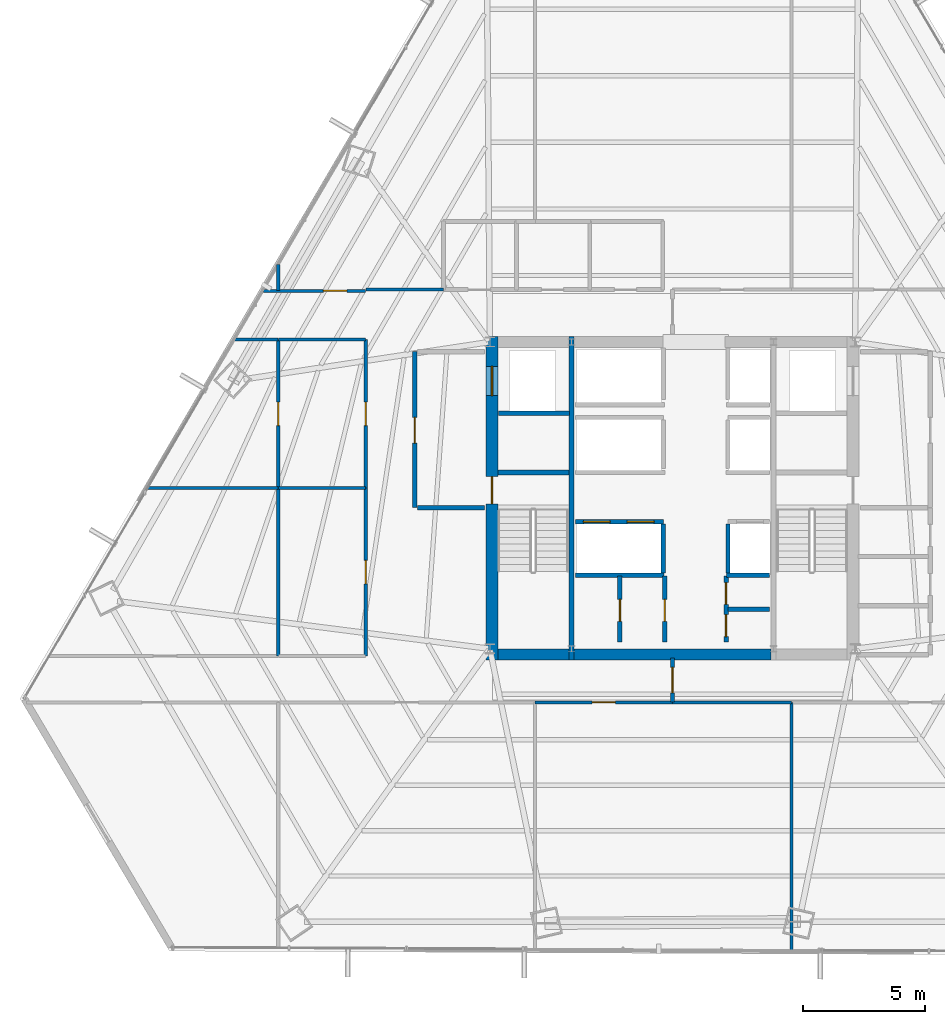
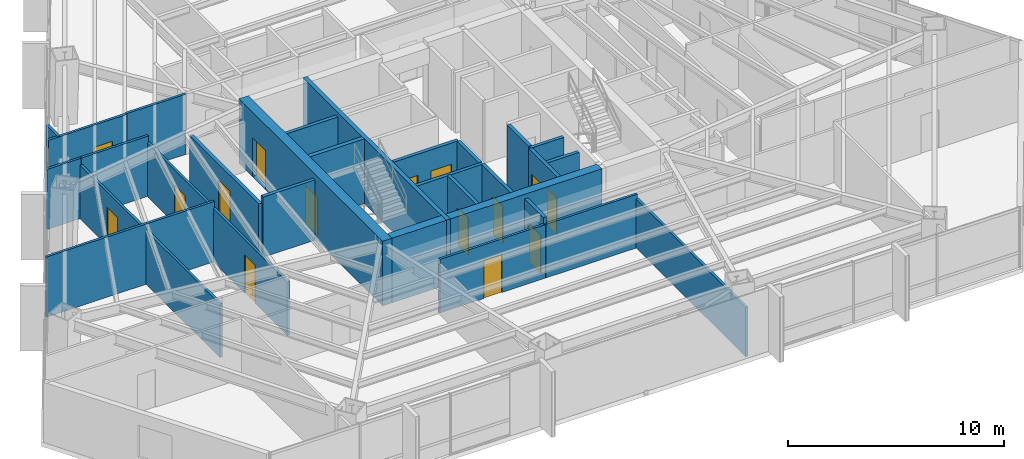
# One storey, part 30 of 35: 32 walls, 15 doors, 15 openings.
"""IFC4 building model written with IfcOpenShell, lengths in metres."""

from ifc_helpers import new_model, si_unit, direction, frame, frame_2d, origin, place, context, subcontext, project, spatial, rectangle, extrude, material, layer, layer_set, type_object, element, fill, save


model = new_model("IFC4")

# Units and contexts
model_context = context("Model", 3, precision=1e-05, world=origin(), true_north=direction((0.0, 1.0)))
body_context = subcontext(model_context, "Body", "Model", "MODEL_VIEW")
ifc_project = project(units=[si_unit("LENGTHUNIT", "METRE"), si_unit("AREAUNIT", "SQUARE_METRE"), si_unit("VOLUMEUNIT", "CUBIC_METRE"), si_unit("PLANEANGLEUNIT", "RADIAN"), si_unit("MASSUNIT", "GRAM", prefix="KILO")], contexts=[model_context])

# Site, building, storey
site_placement = place(None, origin())
site = spatial("IfcSite", under=ifc_project, at=site_placement, CompositionType="ELEMENT")
building_placement = place(site_placement, origin())
building = spatial("IfcBuilding", under=site, at=building_placement, Name="Caelisora Broadcast Tower", CompositionType="ELEMENT")
storey_placement = place(building_placement, frame((0.0, 0.0, 94.449951171875)))
storey = spatial("IfcBuildingStorey", under=building, at=storey_placement, Name="L24", CompositionType="ELEMENT", Elevation=94.449951171875)

# Wall, openings, doors
ifc_material_1 = material(Name="Concrete 50 MPa (AS 3600 S50)", Category="concrete")
ifc_layer_1 = layer(ifc_material_1, 0.5, Name="Concrete 50 MPa (AS 3600 S50)")
ifc_layer_set_1 = layer_set([ifc_layer_1], Name="Concrete 50 MPa (AS 3600 S50)")
wall_type_1 = type_object("IfcWallType", Name="CW2", PredefinedType="SHEAR", material=ifc_layer_set_1)
wall_1_placement = place(storey_placement, frame((30.590087890625, 16.949951171875, 0.0), z_axis=(0.0, 0.0, 1.0), x_axis=(0.0, 1.0, 0.0)))
wall_1 = element("IfcWall", 1, at=wall_1_placement, inside=storey, type_object=wall_type_1, Name="L24 core shear wall CW2", PredefinedType="SHEAR", context=body_context, shape_type="SweptSolid", body=[
    extrude(rectangle(XDim=13.275146484375, YDim=0.5, at=frame_2d((6.6376953125, 0.0))), origin(), (0.0, 0.0, 1.0), 3.650146484375),
])
opening_1_placement = place(wall_1_placement, frame((6.39990234375, 0.0, 0.0)))
opening_1 = element("IfcOpeningElement", 2, at=opening_1_placement, cuts=wall_1, Name="Opening FD04", PredefinedType="OPENING", context=body_context, shape_type="SweptSolid", body=[
    extrude(rectangle(XDim=1.1201171875, YDim=2.14990234375, at=frame_2d((0.56005859375, 1.074951171875))), frame((0.0, 0.261962890625, 0.0), z_axis=(0.0, -1.0, 0.0), x_axis=(1.0, 0.0, 0.0)), (0.0, 0.0, 1.0), 0.52392578125),
])
opening_2_placement = place(wall_1_placement, frame((10.85009765625, 0.0, 0.0)))
opening_2 = element("IfcOpeningElement", 3, at=opening_2_placement, cuts=wall_1, Name="Opening LD04", PredefinedType="OPENING", context=body_context, shape_type="SweptSolid", body=[
    extrude(rectangle(XDim=1.199951171875, YDim=2.199951171875, at=frame_2d((0.60009765625, 1.10009765625))), frame((0.0, 0.261962890625, 0.0), z_axis=(0.0, -1.0, 0.0), x_axis=(1.0, 0.0, 0.0)), (0.0, 0.0, 1.0), 0.52392578125),
])
ifc_material_2 = material(Name="Pressurised Fire-Isolated Stair Door", Category="steel")
door_type_1 = type_object("IfcDoorType", Name="FD04", OperationType="NOTDEFINED", PredefinedType="DOOR", material=ifc_material_2)
door_1_placement = place(opening_1_placement, origin())
door_1 = element("IfcDoor", 4, at=door_1_placement, inside=storey, type_object=door_type_1, Name="L24 door FD04 (L24-DR-ST1)", OperationType="SINGLE_SWING_LEFT", OverallHeight=2.14990234375, OverallWidth=1.1201171875, PredefinedType="DOOR", context=body_context, shape_type="SweptSolid", body=[
    extrude(rectangle(XDim=1.1201171875, YDim=2.14990234375, at=frame_2d((0.56005859375, 1.074951171875))), frame((0.0, 0.02490234375, 0.0), z_axis=(0.0, -1.0, 0.0), x_axis=(1.0, 0.0, 0.0)), (0.0, 0.0, 1.0), 0.050048828125),
])
fill(opening_1, door_1)
ifc_material_3 = material(Name="Emergency Firefighting Lift Sliding Landing Door", Category="steel")
door_type_2 = type_object("IfcDoorType", Name="LD04", OperationType="NOTDEFINED", PredefinedType="DOOR", material=ifc_material_3)
door_2_placement = place(opening_2_placement, origin())
door_2 = element("IfcDoor", 5, at=door_2_placement, inside=storey, type_object=door_type_2, Name="L24 door LD04 (L24-LD-FFL1)", OperationType="SLIDING_TO_LEFT", OverallHeight=2.199951171875, OverallWidth=1.199951171875, PredefinedType="DOOR", context=body_context, shape_type="SweptSolid", body=[
    extrude(rectangle(XDim=1.199951171875, YDim=2.199951171875, at=frame_2d((0.60009765625, 1.10009765625))), frame((0.0, 0.02490234375, 0.0), z_axis=(0.0, -1.0, 0.0), x_axis=(1.0, 0.0, 0.0)), (0.0, 0.0, 1.0), 0.050048828125),
])
fill(opening_2, door_2)

# Walls
ifc_layer_2 = layer(ifc_material_1, 0.449951171875, Name="Concrete 50 MPa (AS 3600 S50)")
ifc_layer_set_2 = layer_set([ifc_layer_2], Name="Concrete 50 MPa (AS 3600 S50)")
wall_type_2 = type_object("IfcWallType", Name="CW5", PredefinedType="SHEAR", material=ifc_layer_set_2)
wall_2_placement = place(storey_placement, frame((30.840087890625, 17.175048828125, 0.0), z_axis=(0.0, 0.0, 1.0), x_axis=(1.0, 0.0, 0.0)))
element("IfcWall", 6, at=wall_2_placement, inside=storey, type_object=wall_type_2, Name="L24 core shear wall CW5", PredefinedType="SHEAR", context=body_context, shape_type="SweptSolid", body=[
    extrude(rectangle(XDim=2.89990234375, YDim=0.449951171875, at=frame_2d((1.449951171875, 0.0))), origin(), (0.0, 0.0, 1.0), 3.650146484375),
])
wall_3_placement = place(storey_placement, frame((33.9599609375, 17.175048828125, 0.0), z_axis=(0.0, 0.0, 1.0), x_axis=(1.0, 0.0, 0.0)))
element("IfcWall", 7, at=wall_3_placement, inside=storey, type_object=wall_type_2, Name="L24 core shear wall CW5", PredefinedType="SHEAR", context=body_context, shape_type="SweptSolid", body=[
    extrude(rectangle(XDim=8.080078125, YDim=0.449951171875, at=frame_2d((4.0400390625, 0.0))), origin(), (0.0, 0.0, 1.0), 3.650146484375),
])
ifc_layer_3 = layer(ifc_material_1, 0.219970703125, Name="Concrete 50 MPa (AS 3600 S50)")
ifc_layer_set_3 = layer_set([ifc_layer_3], Name="Concrete 50 MPa (AS 3600 S50)")
wall_type_3 = type_object("IfcWallType", Name="CW7", PredefinedType="SHEAR", material=ifc_layer_set_3)
wall_4_placement = place(storey_placement, frame((33.85009765625, 16.949951171875, 0.0), z_axis=(0.0, 0.0, 1.0), x_axis=(0.0, 1.0, 0.0)))
element("IfcWall", 8, at=wall_4_placement, inside=storey, type_object=wall_type_3, Name="L24 core shear wall CW7", PredefinedType="SHEAR", context=body_context, shape_type="SweptSolid", body=[
    extrude(rectangle(XDim=13.275146484375, YDim=0.219970703125, at=frame_2d((6.6376953125, 0.0))), origin(), (0.0, 0.0, 1.0), 3.650146484375),
])
wall_5_placement = place(storey_placement, frame((30.840087890625, 24.639892578125, 0.0), z_axis=(0.0, 0.0, 1.0), x_axis=(1.0, 0.0, 0.0)))
element("IfcWall", 9, at=wall_5_placement, inside=storey, type_object=wall_type_3, Name="L24 core shear wall CW7", PredefinedType="SHEAR", context=body_context, shape_type="SweptSolid", body=[
    extrude(rectangle(XDim=2.89990234375, YDim=0.219970703125, at=frame_2d((1.449951171875, 0.0))), origin(), (0.0, 0.0, 1.0), 3.650146484375),
])

# Wall, openings, doors
ifc_material_4 = material(Name="Fire-Rated Gypsum Shaft and Compartment Wall", Category="gypsum")
ifc_layer_4 = layer(ifc_material_4, 0.179931640625, Name="Fire-Rated Gypsum Shaft and Compartment Wall")
ifc_layer_set_4 = layer_set([ifc_layer_4], Name="Fire-Rated Gypsum Shaft and Compartment Wall")
wall_type_4 = type_object("IfcWallType", Name="PW2", PredefinedType="PARTITIONING", material=ifc_layer_set_4)
wall_6_placement = place(storey_placement, frame((34.02001953125, 22.6201171875, 0.0), z_axis=(0.0, 0.0, 1.0), x_axis=(1.0, 0.0, 0.0)))
wall_6 = element("IfcWall", 10, at=wall_6_placement, inside=storey, type_object=wall_type_4, Name="L24 fire compartment wall PW2", PredefinedType="PARTITIONING", context=body_context, shape_type="SweptSolid", body=[
    extrude(rectangle(XDim=3.60009765625, YDim=0.179931640625, at=frame_2d((1.800048828125, 0.0))), origin(), (0.0, 0.0, 1.0), 3.400146484375),
])
opening_3_placement = place(wall_6_placement, frame((0.320068359375, 0.0, 0.0)))
opening_3 = element("IfcOpeningElement", 11, at=opening_3_placement, cuts=wall_6, Name="Opening LD01", PredefinedType="OPENING", context=body_context, shape_type="SweptSolid", body=[
    extrude(rectangle(XDim=1.10009765625, YDim=2.199951171875, at=frame_2d((0.550048828125, 1.10009765625))), frame((0.0, 0.10205078125, 0.0), z_axis=(0.0, -1.0, 0.0), x_axis=(1.0, 0.0, 0.0)), (0.0, 0.0, 1.0), 0.203857421875),
])
opening_4_placement = place(wall_6_placement, frame((2.1201171875, 0.0, 0.0)))
opening_4 = element("IfcOpeningElement", 12, at=opening_4_placement, cuts=wall_6, Name="Opening LD01", PredefinedType="OPENING", context=body_context, shape_type="SweptSolid", body=[
    extrude(rectangle(XDim=1.10009765625, YDim=2.199951171875, at=frame_2d((0.550048828125, 1.10009765625))), frame((0.0, 0.10205078125, 0.0), z_axis=(0.0, -1.0, 0.0), x_axis=(1.0, 0.0, 0.0)), (0.0, 0.0, 1.0), 0.203857421875),
])
ifc_material_5 = material(Name="Stainless Steel Centre-Parting Lift Landing Door", Category="steel")
door_type_3 = type_object("IfcDoorType", Name="LD01", OperationType="NOTDEFINED", PredefinedType="DOOR", material=ifc_material_5)
door_3_placement = place(opening_3_placement, origin())
door_3 = element("IfcDoor", 13, at=door_3_placement, inside=storey, type_object=door_type_3, Name="L24 door LD01 (L24-LD-PLL1)", OperationType="SLIDING_TO_LEFT", OverallHeight=2.199951171875, OverallWidth=1.10009765625, PredefinedType="DOOR", context=body_context, shape_type="SweptSolid", body=[
    extrude(rectangle(XDim=1.10009765625, YDim=2.199951171875, at=frame_2d((0.550048828125, 1.10009765625))), frame((0.0, 0.02490234375, 0.0), z_axis=(0.0, -1.0, 0.0), x_axis=(1.0, 0.0, 0.0)), (0.0, 0.0, 1.0), 0.050048828125),
])
fill(opening_3, door_3)
door_4_placement = place(opening_4_placement, origin())
door_4 = element("IfcDoor", 14, at=door_4_placement, inside=storey, type_object=door_type_3, Name="L24 door LD01 (L24-LD-PLL2)", OperationType="SLIDING_TO_RIGHT", OverallHeight=2.199951171875, OverallWidth=1.10009765625, PredefinedType="DOOR", context=body_context, shape_type="SweptSolid", body=[
    extrude(rectangle(XDim=1.10009765625, YDim=2.199951171875, at=frame_2d((0.550048828125, 1.10009765625))), frame((0.0, 0.02490234375, 0.0), z_axis=(0.0, -1.0, 0.0), x_axis=(1.0, 0.0, 0.0)), (0.0, 0.0, 1.0), 0.050048828125),
])
fill(opening_4, door_4)

# Walls
for number, where, z_axis, x_axis, name in (
    (15, (37.6201171875, 20.52001953125, 0.0), (0.0, 0.0, 1.0), (0.0, 1.0, 0.0), "L24 fire compartment wall PW2"),
    (16, (40.280029296875, 20.52001953125, 0.0), (0.0, 0.0, 1.0), (0.0, 1.0, 0.0), "L24 fire compartment wall PW2"),
):
    element("IfcWall", number, at=place(storey_placement, frame(where, z_axis=z_axis, x_axis=x_axis)), inside=storey, type_object=wall_type_4, Name=name, PredefinedType="PARTITIONING", context=body_context, shape_type="SweptSolid", body=[
        extrude(rectangle(XDim=2.0, YDim=0.179931640625, at=frame_2d((1.0, 0.0))), origin(), (0.0, 0.0, 1.0), 3.400146484375),
    ])

# Wall, opening, door
wall_7_placement = place(storey_placement, frame((27.419921875, 23.199951171875, 0.0), z_axis=(0.0, 0.0, 1.0), x_axis=(0.0, 1.0, 0.0)))
wall_7 = element("IfcWall", 17, at=wall_7_placement, inside=storey, type_object=wall_type_4, Name="L24 fire compartment wall PW2", PredefinedType="PARTITIONING", context=body_context, shape_type="SweptSolid", body=[
    extrude(rectangle(XDim=6.400146484375, YDim=0.179931640625, at=frame_2d((3.2001953125, 0.0))), origin(), (0.0, 0.0, 1.0), 3.0263671875),
])
opening_5_placement = place(wall_7_placement, frame((2.64990234375, 0.0, 0.0)))
opening_5 = element("IfcOpeningElement", 18, at=opening_5_placement, cuts=wall_7, Name="Opening FD02", PredefinedType="OPENING", context=body_context, shape_type="SweptSolid", body=[
    extrude(rectangle(XDim=1.050048828125, YDim=2.14990234375, at=frame_2d((0.52490234375, 1.074951171875))), frame((0.0, 0.10205078125, 0.0), z_axis=(0.0, -1.0, 0.0), x_axis=(1.0, 0.0, 0.0)), (0.0, 0.0, 1.0), 0.203857421875),
])
ifc_material_6 = material(Name="Single-Leaf Steel Fire Lobby Door", Category="steel")
door_type_4 = type_object("IfcDoorType", Name="FD02", OperationType="NOTDEFINED", PredefinedType="DOOR", material=ifc_material_6)
door_5_placement = place(opening_5_placement, origin())
door_5 = element("IfcDoor", 19, at=door_5_placement, inside=storey, type_object=door_type_4, Name="L24 door FD02 (L24-DR-P01D1)", OperationType="SINGLE_SWING_RIGHT", OverallHeight=2.14990234375, OverallWidth=1.050048828125, PredefinedType="DOOR", context=body_context, shape_type="SweptSolid", body=[
    extrude(rectangle(XDim=1.050048828125, YDim=2.14990234375, at=frame_2d((0.52490234375, 1.074951171875))), frame((0.0, 0.02490234375, 0.0), z_axis=(0.0, -1.0, 0.0), x_axis=(1.0, 0.0, 0.0)), (0.0, 0.0, 1.0), 0.050048828125),
])
fill(opening_5, door_5)

# Walls
wall_8_placement = place(storey_placement, frame((27.52001953125, 23.199951171875, 0.0), z_axis=(0.0, 0.0, 1.0), x_axis=(1.0, 0.0, 0.0)))
element("IfcWall", 20, at=wall_8_placement, inside=storey, type_object=wall_type_4, Name="L24 fire compartment wall PW2", PredefinedType="PARTITIONING", context=body_context, shape_type="SweptSolid", body=[
    extrude(rectangle(XDim=2.760009765625, YDim=0.179931640625, at=frame_2d((1.3798828125, 0.0))), origin(), (0.0, 0.0, 1.0), 3.400146484375),
])
wall_9_placement = place(storey_placement, frame((30.860107421875, 27.070068359375, 0.0), z_axis=(0.0, 0.0, 1.0), x_axis=(1.0, 0.0, 0.0)))
element("IfcWall", 21, at=wall_9_placement, inside=storey, type_object=wall_type_4, Name="L24 fire compartment wall PW2", PredefinedType="PARTITIONING", context=body_context, shape_type="SweptSolid", body=[
    extrude(rectangle(XDim=2.89990234375, YDim=0.179931640625, at=frame_2d((1.449951171875, 0.0))), origin(), (0.0, 0.0, 1.0), 3.400146484375),
])
wall_10_placement = place(storey_placement, frame((34.02001953125, 20.419921875, 0.0), z_axis=(0.0, 0.0, 1.0), x_axis=(1.0, 0.0, 0.0)))
element("IfcWall", 22, at=wall_10_placement, inside=storey, type_object=wall_type_4, Name="L24 fire compartment wall PW2", PredefinedType="PARTITIONING", context=body_context, shape_type="SweptSolid", body=[
    extrude(rectangle(XDim=3.639892578125, YDim=0.179931640625, at=frame_2d((1.81982421875, 0.0))), origin(), (0.0, 0.0, 1.0), 3.400146484375),
])
wall_11_placement = place(storey_placement, frame((40.219970703125, 20.419921875, 0.0), z_axis=(0.0, 0.0, 1.0), x_axis=(1.0, 0.0, 0.0)))
element("IfcWall", 23, at=wall_11_placement, inside=storey, type_object=wall_type_4, Name="L24 fire compartment wall PW2", PredefinedType="PARTITIONING", context=body_context, shape_type="SweptSolid", body=[
    extrude(rectangle(XDim=1.760009765625, YDim=0.179931640625, at=frame_2d((0.8798828125, 0.0))), origin(), (0.0, 0.0, 1.0), 3.400146484375),
])

# Wall, opening, door
wall_12_placement = place(storey_placement, frame((35.840087890625, 17.679931640625, 0.0), z_axis=(0.0, 0.0, 1.0), x_axis=(0.0, 1.0, 0.0)))
wall_12 = element("IfcWall", 24, at=wall_12_placement, inside=storey, type_object=wall_type_4, Name="L24 fire compartment wall PW2", PredefinedType="PARTITIONING", context=body_context, shape_type="SweptSolid", body=[
    extrude(rectangle(XDim=2.699951171875, YDim=0.179931640625, at=frame_2d((1.35009765625, 0.0))), origin(), (0.0, 0.0, 1.0), 3.400146484375),
])
opening_6_placement = place(wall_12_placement, frame((0.85009765625, 0.0, 0.0)))
opening_6 = element("IfcOpeningElement", 25, at=opening_6_placement, cuts=wall_12, Name="Opening FD03", PredefinedType="OPENING", context=body_context, shape_type="SweptSolid", body=[
    extrude(rectangle(XDim=0.89990234375, YDim=2.10009765625, at=frame_2d((0.449951171875, 1.050048828125))), frame((0.0, 0.10205078125, 0.0), z_axis=(0.0, -1.0, 0.0), x_axis=(1.0, 0.0, 0.0)), (0.0, 0.0, 1.0), 0.203857421875),
])
ifc_material_7 = material(Name="Single-Leaf Steel Riser Fire Access Door", Category="steel")
door_type_5 = type_object("IfcDoorType", Name="FD03", OperationType="NOTDEFINED", PredefinedType="DOOR", material=ifc_material_7)
door_6_placement = place(opening_6_placement, origin())
door_6 = element("IfcDoor", 26, at=door_6_placement, inside=storey, type_object=door_type_5, Name="L24 door FD03 (L24-DR-P11D1)", OperationType="SINGLE_SWING_RIGHT", OverallHeight=2.10009765625, OverallWidth=0.89990234375, PredefinedType="DOOR", context=body_context, shape_type="SweptSolid", body=[
    extrude(rectangle(XDim=0.89990234375, YDim=2.10009765625, at=frame_2d((0.449951171875, 1.050048828125))), frame((0.0, 0.02490234375, 0.0), z_axis=(0.0, -1.0, 0.0), x_axis=(1.0, 0.0, 0.0)), (0.0, 0.0, 1.0), 0.050048828125),
])
fill(opening_6, door_6)

wall_13_placement = place(storey_placement, frame((37.679931640625, 17.679931640625, 0.0), z_axis=(0.0, 0.0, 1.0), x_axis=(0.0, 1.0, 0.0)))
wall_13 = element("IfcWall", 27, at=wall_13_placement, inside=storey, type_object=wall_type_4, Name="L24 fire compartment wall PW2", PredefinedType="PARTITIONING", context=body_context, shape_type="SweptSolid", body=[
    extrude(rectangle(XDim=2.699951171875, YDim=0.179931640625, at=frame_2d((1.35009765625, 0.0))), origin(), (0.0, 0.0, 1.0), 3.400146484375),
])
opening_7_placement = place(wall_13_placement, frame((0.85009765625, 0.0, 0.0)))
opening_7 = element("IfcOpeningElement", 28, at=opening_7_placement, cuts=wall_13, Name="Opening FD03", PredefinedType="OPENING", context=body_context, shape_type="SweptSolid", body=[
    extrude(rectangle(XDim=0.89990234375, YDim=2.10009765625, at=frame_2d((0.449951171875, 1.050048828125))), frame((0.0, 0.10205078125, 0.0), z_axis=(0.0, -1.0, 0.0), x_axis=(1.0, 0.0, 0.0)), (0.0, 0.0, 1.0), 0.203857421875),
])
door_7_placement = place(opening_7_placement, origin())
door_7 = element("IfcDoor", 29, at=door_7_placement, inside=storey, type_object=door_type_5, Name="L24 door FD03 (L24-DR-P12D1)", OperationType="SINGLE_SWING_LEFT", OverallHeight=2.10009765625, OverallWidth=0.89990234375, PredefinedType="DOOR", context=body_context, shape_type="SweptSolid", body=[
    extrude(rectangle(XDim=0.89990234375, YDim=2.10009765625, at=frame_2d((0.449951171875, 1.050048828125))), frame((0.0, 0.02490234375, 0.0), z_axis=(0.0, -1.0, 0.0), x_axis=(1.0, 0.0, 0.0)), (0.0, 0.0, 1.0), 0.050048828125),
])
fill(opening_7, door_7)

# Wall
wall_14_placement = place(storey_placement, frame((40.280029296875, 19.02001953125, 0.0), z_axis=(0.0, 0.0, 1.0), x_axis=(1.0, 0.0, 0.0)))
element("IfcWall", 30, at=wall_14_placement, inside=storey, type_object=wall_type_4, Name="L24 fire compartment wall PW2", PredefinedType="PARTITIONING", context=body_context, shape_type="SweptSolid", body=[
    extrude(rectangle(XDim=1.699951171875, YDim=0.179931640625, at=frame_2d((0.85009765625, 0.0))), origin(), (0.0, 0.0, 1.0), 3.400146484375),
])

# Wall, openings, doors
wall_15_placement = place(storey_placement, frame((40.199951171875, 17.679931640625, 0.0), z_axis=(0.0, 0.0, 1.0), x_axis=(0.0, 1.0, 0.0)))
wall_15 = element("IfcWall", 31, at=wall_15_placement, inside=storey, type_object=wall_type_4, Name="L24 fire compartment wall PW2", PredefinedType="PARTITIONING", context=body_context, shape_type="SweptSolid", body=[
    extrude(rectangle(XDim=2.699951171875, YDim=0.179931640625, at=frame_2d((1.35009765625, 0.0))), origin(), (0.0, 0.0, 1.0), 3.400146484375),
])
opening_8_placement = place(wall_15_placement, frame((0.219970703125, 0.0, 0.0)))
opening_8 = element("IfcOpeningElement", 32, at=opening_8_placement, cuts=wall_15, Name="Opening FD03", PredefinedType="OPENING", context=body_context, shape_type="SweptSolid", body=[
    extrude(rectangle(XDim=0.89990234375, YDim=2.10009765625, at=frame_2d((0.449951171875, 1.050048828125))), frame((0.0, 0.10205078125, 0.0), z_axis=(0.0, -1.0, 0.0), x_axis=(1.0, 0.0, 0.0)), (0.0, 0.0, 1.0), 0.203857421875),
])
opening_9_placement = place(wall_15_placement, frame((1.5400390625, 0.0, 0.0)))
opening_9 = element("IfcOpeningElement", 33, at=opening_9_placement, cuts=wall_15, Name="Opening FD03", PredefinedType="OPENING", context=body_context, shape_type="SweptSolid", body=[
    extrude(rectangle(XDim=0.89990234375, YDim=2.10009765625, at=frame_2d((0.449951171875, 1.050048828125))), frame((0.0, 0.10205078125, 0.0), z_axis=(0.0, -1.0, 0.0), x_axis=(1.0, 0.0, 0.0)), (0.0, 0.0, 1.0), 0.203857421875),
])
door_8_placement = place(opening_8_placement, origin())
door_8 = element("IfcDoor", 34, at=door_8_placement, inside=storey, type_object=door_type_5, Name="L24 door FD03 (L24-DR-P14D1)", OperationType="SINGLE_SWING_RIGHT", OverallHeight=2.10009765625, OverallWidth=0.89990234375, PredefinedType="DOOR", context=body_context, shape_type="SweptSolid", body=[
    extrude(rectangle(XDim=0.89990234375, YDim=2.10009765625, at=frame_2d((0.449951171875, 1.050048828125))), frame((0.0, 0.02490234375, 0.0), z_axis=(0.0, -1.0, 0.0), x_axis=(1.0, 0.0, 0.0)), (0.0, 0.0, 1.0), 0.050048828125),
])
fill(opening_8, door_8)
door_9_placement = place(opening_9_placement, origin())
door_9 = element("IfcDoor", 35, at=door_9_placement, inside=storey, type_object=door_type_5, Name="L24 door FD03 (L24-DR-P14D2)", OperationType="SINGLE_SWING_LEFT", OverallHeight=2.10009765625, OverallWidth=0.89990234375, PredefinedType="DOOR", context=body_context, shape_type="SweptSolid", body=[
    extrude(rectangle(XDim=0.89990234375, YDim=2.10009765625, at=frame_2d((0.449951171875, 1.050048828125))), frame((0.0, 0.02490234375, 0.0), z_axis=(0.0, -1.0, 0.0), x_axis=(1.0, 0.0, 0.0)), (0.0, 0.0, 1.0), 0.050048828125),
])
fill(opening_9, door_9)

# Wall, opening, door
wall_16_placement = place(storey_placement, frame((38.0, 15.205078125, 0.0), z_axis=(0.0, 0.0, 1.0), x_axis=(0.0, 1.0, 0.0)))
wall_16 = element("IfcWall", 36, at=wall_16_placement, inside=storey, type_object=wall_type_4, Name="L24 fire compartment wall PW2", PredefinedType="PARTITIONING", context=body_context, shape_type="SweptSolid", body=[
    extrude(rectangle(XDim=1.81982421875, YDim=0.179931640625, at=frame_2d((0.909912109375, 0.0))), origin(), (0.0, 0.0, 1.0), 3.400146484375),
])
opening_10_placement = place(wall_16_placement, frame((0.385009765625, 0.0, 0.0)))
opening_10 = element("IfcOpeningElement", 37, at=opening_10_placement, cuts=wall_16, Name="Opening FD02", PredefinedType="OPENING", context=body_context, shape_type="SweptSolid", body=[
    extrude(rectangle(XDim=1.050048828125, YDim=2.14990234375, at=frame_2d((0.52490234375, 1.074951171875))), frame((0.0, 0.10205078125, 0.0), z_axis=(0.0, -1.0, 0.0), x_axis=(1.0, 0.0, 0.0)), (0.0, 0.0, 1.0), 0.203857421875),
])
door_10_placement = place(opening_10_placement, origin())
door_10 = element("IfcDoor", 38, at=door_10_placement, inside=storey, type_object=door_type_4, Name="L24 door FD02 (L24-DR-P67D1)", OperationType="SINGLE_SWING_RIGHT", OverallHeight=2.14990234375, OverallWidth=1.050048828125, PredefinedType="DOOR", context=body_context, shape_type="SweptSolid", body=[
    extrude(rectangle(XDim=1.050048828125, YDim=2.14990234375, at=frame_2d((0.52490234375, 1.074951171875))), frame((0.0, 0.02490234375, 0.0), z_axis=(0.0, -1.0, 0.0), x_axis=(1.0, 0.0, 0.0)), (0.0, 0.0, 1.0), 0.050048828125),
])
fill(opening_10, door_10)

# Wall
ifc_material_8 = material(Name="Acoustic Steel-Stud Plasterboard Partition", Category="gypsum")
ifc_layer_5 = layer(ifc_material_8, 0.1298828125, Name="Acoustic Steel-Stud Plasterboard Partition")
ifc_layer_set_5 = layer_set([ifc_layer_5], Name="Acoustic Steel-Stud Plasterboard Partition")
wall_type_5 = type_object("IfcWallType", Name="PW3", PredefinedType="PARTITIONING", material=ifc_layer_set_5)
wall_17_placement = place(storey_placement, frame((42.889892578125, 5.015380859375, 0.0), z_axis=(0.0, 0.0, 1.0), x_axis=(0.0, 1.0, 0.0)))
element("IfcWall", 39, at=wall_17_placement, inside=storey, type_object=wall_type_5, Name="L24 internal partition PW3", PredefinedType="PARTITIONING", context=body_context, shape_type="SweptSolid", body=[
    extrude(rectangle(XDim=10.1796875, YDim=0.1298828125, at=frame_2d((5.08984375, 0.0))), origin(), (0.0, 0.0, 1.0), 2.782958984375),
])

# Wall, opening, door
wall_18_placement = place(storey_placement, frame((25.39990234375, 17.10498046875, 0.0), z_axis=(0.0, 0.0, 1.0), x_axis=(0.0, 1.0, 0.0)))
wall_18 = element("IfcWall", 40, at=wall_18_placement, inside=storey, type_object=wall_type_5, Name="L24 internal partition PW3", PredefinedType="PARTITIONING", context=body_context, shape_type="SweptSolid", body=[
    extrude(rectangle(XDim=6.89013671875, YDim=0.1298828125, at=frame_2d((3.445068359375, 0.0))), origin(), (0.0, 0.0, 1.0), 3.0263671875),
])
opening_11_placement = place(wall_18_placement, frame((2.965087890625, 0.0, 0.0)))
opening_11 = element("IfcOpeningElement", 41, at=opening_11_placement, cuts=wall_18, Name="Opening D01", PredefinedType="OPENING", context=body_context, shape_type="SweptSolid", body=[
    extrude(rectangle(XDim=0.9599609375, YDim=2.14990234375, at=frame_2d((0.47998046875, 1.074951171875))), frame((0.0, 0.076904296875, 0.0), z_axis=(0.0, -1.0, 0.0), x_axis=(1.0, 0.0, 0.0)), (0.0, 0.0, 1.0), 0.15380859375),
])
ifc_material_9 = material(Name="Solid-Core Timber Acoustic Office Door", Category="wood")
door_type_6 = type_object("IfcDoorType", Name="D01", OperationType="NOTDEFINED", PredefinedType="DOOR", material=ifc_material_9)
door_11_placement = place(opening_11_placement, origin())
door_11 = element("IfcDoor", 42, at=door_11_placement, inside=storey, type_object=door_type_6, Name="L24 door D01 (L24-DR-P43D1)", OperationType="SINGLE_SWING_LEFT", OverallHeight=2.14990234375, OverallWidth=0.9599609375, PredefinedType="DOOR", context=body_context, shape_type="SweptSolid", body=[
    extrude(rectangle(XDim=0.9599609375, YDim=2.14990234375, at=frame_2d((0.47998046875, 1.074951171875))), frame((0.0, 0.02490234375, 0.0), z_axis=(0.0, -1.0, 0.0), x_axis=(1.0, 0.0, 0.0)), (0.0, 0.0, 1.0), 0.050048828125),
])
fill(opening_11, door_11)

# Wall
wall_19_placement = place(storey_placement, frame((21.81005859375, 17.10498046875, 0.0), z_axis=(0.0, 0.0, 1.0), x_axis=(0.0, 1.0, 0.0)))
element("IfcWall", 43, at=wall_19_placement, inside=storey, type_object=wall_type_5, Name="L24 internal partition PW3", PredefinedType="PARTITIONING", context=body_context, shape_type="SweptSolid", body=[
    extrude(rectangle(XDim=6.89013671875, YDim=0.1298828125, at=frame_2d((3.445068359375, 0.0))), origin(), (0.0, 0.0, 1.0), 3.0263671875),
])

# Wall, opening, door
wall_20_placement = place(storey_placement, frame((25.39990234375, 24.0048828125, 0.0), z_axis=(0.0, 0.0, 1.0), x_axis=(0.0, 1.0, 0.0)))
wall_20 = element("IfcWall", 44, at=wall_20_placement, inside=storey, type_object=wall_type_5, Name="L24 internal partition PW3", PredefinedType="PARTITIONING", context=body_context, shape_type="SweptSolid", body=[
    extrude(rectangle(XDim=6.090087890625, YDim=0.1298828125, at=frame_2d((3.044921875, 0.0))), origin(), (0.0, 0.0, 1.0), 3.0263671875),
])
opening_12_placement = place(wall_20_placement, frame((2.56494140625, 0.0, 0.0)))
opening_12 = element("IfcOpeningElement", 45, at=opening_12_placement, cuts=wall_20, Name="Opening D01", PredefinedType="OPENING", context=body_context, shape_type="SweptSolid", body=[
    extrude(rectangle(XDim=0.9599609375, YDim=2.14990234375, at=frame_2d((0.47998046875, 1.074951171875))), frame((0.0, 0.076904296875, 0.0), z_axis=(0.0, -1.0, 0.0), x_axis=(1.0, 0.0, 0.0)), (0.0, 0.0, 1.0), 0.15380859375),
])
door_12_placement = place(opening_12_placement, origin())
door_12 = element("IfcDoor", 46, at=door_12_placement, inside=storey, type_object=door_type_6, Name="L24 door D01 (L24-DR-P48D1)", OperationType="SINGLE_SWING_LEFT", OverallHeight=2.14990234375, OverallWidth=0.9599609375, PredefinedType="DOOR", context=body_context, shape_type="SweptSolid", body=[
    extrude(rectangle(XDim=0.9599609375, YDim=2.14990234375, at=frame_2d((0.47998046875, 1.074951171875))), frame((0.0, 0.02490234375, 0.0), z_axis=(0.0, -1.0, 0.0), x_axis=(1.0, 0.0, 0.0)), (0.0, 0.0, 1.0), 0.050048828125),
])
fill(opening_12, door_12)

wall_21_placement = place(storey_placement, frame((21.81005859375, 24.0048828125, 0.0), z_axis=(0.0, 0.0, 1.0), x_axis=(0.0, 1.0, 0.0)))
wall_21 = element("IfcWall", 47, at=wall_21_placement, inside=storey, type_object=wall_type_5, Name="L24 internal partition PW3", PredefinedType="PARTITIONING", context=body_context, shape_type="SweptSolid", body=[
    extrude(rectangle(XDim=6.090087890625, YDim=0.1298828125, at=frame_2d((3.044921875, 0.0))), origin(), (0.0, 0.0, 1.0), 3.0263671875),
])
opening_13_placement = place(wall_21_placement, frame((2.56494140625, 0.0, 0.0)))
opening_13 = element("IfcOpeningElement", 48, at=opening_13_placement, cuts=wall_21, Name="Opening D01", PredefinedType="OPENING", context=body_context, shape_type="SweptSolid", body=[
    extrude(rectangle(XDim=0.9599609375, YDim=2.14990234375, at=frame_2d((0.47998046875, 1.074951171875))), frame((0.0, 0.076904296875, 0.0), z_axis=(0.0, -1.0, 0.0), x_axis=(1.0, 0.0, 0.0)), (0.0, 0.0, 1.0), 0.15380859375),
])
door_13_placement = place(opening_13_placement, origin())
door_13 = element("IfcDoor", 49, at=door_13_placement, inside=storey, type_object=door_type_6, Name="L24 door D01 (L24-DR-P51D1)", OperationType="SINGLE_SWING_RIGHT", OverallHeight=2.14990234375, OverallWidth=0.9599609375, PredefinedType="DOOR", context=body_context, shape_type="SweptSolid", body=[
    extrude(rectangle(XDim=0.9599609375, YDim=2.14990234375, at=frame_2d((0.47998046875, 1.074951171875))), frame((0.0, 0.02490234375, 0.0), z_axis=(0.0, -1.0, 0.0), x_axis=(1.0, 0.0, 0.0)), (0.0, 0.0, 1.0), 0.050048828125),
])
fill(opening_13, door_13)

wall_22_placement = place(storey_placement, frame((32.35498046875, 15.199951171875, 0.0), z_axis=(0.0, 0.0, 1.0), x_axis=(1.0, 0.0, 0.0)))
wall_22 = element("IfcWall", 50, at=wall_22_placement, inside=storey, type_object=wall_type_5, Name="L24 internal partition PW3", PredefinedType="PARTITIONING", context=body_context, shape_type="SweptSolid", body=[
    extrude(rectangle(XDim=5.64013671875, YDim=0.1298828125, at=frame_2d((2.820068359375, 0.0))), origin(), (0.0, 0.0, 1.0), 3.0263671875),
])
opening_14_placement = place(wall_22_placement, frame((2.340087890625, 0.0, 0.0)))
opening_14 = element("IfcOpeningElement", 51, at=opening_14_placement, cuts=wall_22, Name="Opening D01", PredefinedType="OPENING", context=body_context, shape_type="SweptSolid", body=[
    extrude(rectangle(XDim=0.9599609375, YDim=2.14990234375, at=frame_2d((0.47998046875, 1.074951171875))), frame((0.0, 0.076904296875, 0.0), z_axis=(0.0, -1.0, 0.0), x_axis=(1.0, 0.0, 0.0)), (0.0, 0.0, 1.0), 0.15380859375),
])
door_14_placement = place(opening_14_placement, origin())
door_14 = element("IfcDoor", 52, at=door_14_placement, inside=storey, type_object=door_type_6, Name="L24 door D01 (L24-DR-P52D1)", OperationType="SINGLE_SWING_LEFT", OverallHeight=2.14990234375, OverallWidth=0.9599609375, PredefinedType="DOOR", context=body_context, shape_type="SweptSolid", body=[
    extrude(rectangle(XDim=0.9599609375, YDim=2.14990234375, at=frame_2d((0.47998046875, 1.074951171875))), frame((0.0, 0.02490234375, 0.0), z_axis=(0.0, -1.0, 0.0), x_axis=(1.0, 0.0, 0.0)), (0.0, 0.0, 1.0), 0.050048828125),
])
fill(opening_14, door_14)

# Walls
wall_23_placement = place(storey_placement, frame((16.435546875, 24.0, 0.0), z_axis=(0.0, 0.0, 1.0), x_axis=(1.0, 0.0, 0.0)))
element("IfcWall", 53, at=wall_23_placement, inside=storey, type_object=wall_type_5, Name="L24 internal partition PW3", PredefinedType="PARTITIONING", context=body_context, shape_type="SweptSolid", body=[
    extrude(rectangle(XDim=5.369384765625, YDim=0.1298828125, at=frame_2d((2.6845703125, 0.0))), origin(), (0.0, 0.0, 1.0), 3.400146484375),
])
wall_24_placement = place(storey_placement, frame((38.0048828125, 15.199951171875, 0.0), z_axis=(0.0, 0.0, 1.0), x_axis=(1.0, 0.0, 0.0)))
element("IfcWall", 54, at=wall_24_placement, inside=storey, type_object=wall_type_5, Name="L24 internal partition PW3", PredefinedType="PARTITIONING", context=body_context, shape_type="SweptSolid", body=[
    extrude(rectangle(XDim=4.880126953125, YDim=0.1298828125, at=frame_2d((2.43994140625, 0.0))), origin(), (0.0, 0.0, 1.0), 3.0263671875),
])
wall_25_placement = place(storey_placement, frame((25.39501953125, 30.10009765625, 0.0), z_axis=(0.0, 0.0, 1.0), x_axis=(-1.0, 0.0, 0.0)))
element("IfcWall", 55, at=wall_25_placement, inside=storey, type_object=wall_type_5, Name="L24 internal partition PW3", PredefinedType="PARTITIONING", context=body_context, shape_type="SweptSolid", body=[
    extrude(rectangle(XDim=3.580078125, YDim=0.1298828125, at=frame_2d((1.7900390625, 0.0))), origin(), (0.0, 0.0, 1.0), 3.400146484375),
])

# Wall, opening, door
wall_26_placement = place(storey_placement, frame((21.206298828125, 32.10009765625, 0.0), z_axis=(0.0, 0.0, 1.0), x_axis=(1.0, 0.0, 0.0)))
wall_26 = element("IfcWall", 56, at=wall_26_placement, inside=storey, type_object=wall_type_5, Name="L24 internal partition PW3", PredefinedType="PARTITIONING", context=body_context, shape_type="SweptSolid", body=[
    extrude(rectangle(XDim=4.188720703125, YDim=0.1298828125, at=frame_2d((2.09423828125, 0.0))), origin(), (0.0, 0.0, 1.0), 3.400146484375),
])
opening_15_placement = place(wall_26_placement, frame((2.4599609375, 0.0, 0.0)))
opening_15 = element("IfcOpeningElement", 57, at=opening_15_placement, cuts=wall_26, Name="Opening D01", PredefinedType="OPENING", context=body_context, shape_type="SweptSolid", body=[
    extrude(rectangle(XDim=0.9599609375, YDim=2.14990234375, at=frame_2d((0.47998046875, 1.074951171875))), frame((0.0, 0.076904296875, 0.0), z_axis=(0.0, -1.0, 0.0), x_axis=(1.0, 0.0, 0.0)), (0.0, 0.0, 1.0), 0.15380859375),
])
door_15_placement = place(opening_15_placement, origin())
door_15 = element("IfcDoor", 58, at=door_15_placement, inside=storey, type_object=door_type_6, Name="L24 door D01 (L24-DR-P59D1)", OperationType="SINGLE_SWING_LEFT", OverallHeight=2.14990234375, OverallWidth=0.9599609375, PredefinedType="DOOR", context=body_context, shape_type="SweptSolid", body=[
    extrude(rectangle(XDim=0.9599609375, YDim=2.14990234375, at=frame_2d((0.47998046875, 1.074951171875))), frame((0.0, 0.02490234375, 0.0), z_axis=(0.0, -1.0, 0.0), x_axis=(1.0, 0.0, 0.0)), (0.0, 0.0, 1.0), 0.050048828125),
])
fill(opening_15, door_15)

# Walls
wall_27_placement = place(storey_placement, frame((21.81494140625, 24.0, 0.0), z_axis=(0.0, 0.0, 1.0), x_axis=(1.0, 0.0, 0.0)))
element("IfcWall", 59, at=wall_27_placement, inside=storey, type_object=wall_type_5, Name="L24 internal partition PW3", PredefinedType="PARTITIONING", context=body_context, shape_type="SweptSolid", body=[
    extrude(rectangle(XDim=3.580078125, YDim=0.1298828125, at=frame_2d((1.7900390625, 0.0))), origin(), (0.0, 0.0, 1.0), 3.400146484375),
])
wall_28_placement = place(storey_placement, frame((25.405029296875, 32.14990234375, 0.0), z_axis=(0.0, 0.0, 1.0), x_axis=(1.0, 0.0, 0.0)))
element("IfcWall", 60, at=wall_28_placement, inside=storey, type_object=wall_type_5, Name="L24 internal partition PW3", PredefinedType="PARTITIONING", context=body_context, shape_type="SweptSolid", body=[
    extrude(rectangle(XDim=3.18994140625, YDim=0.1298828125, at=frame_2d((1.594970703125, 0.0))), origin(), (0.0, 0.0, 1.0), 3.400146484375),
])
wall_29_placement = place(storey_placement, frame((20.0087890625, 30.10009765625, 0.0), z_axis=(0.0, 0.0, 1.0), x_axis=(1.0, 0.0, 0.0)))
element("IfcWall", 61, at=wall_29_placement, inside=storey, type_object=wall_type_5, Name="L24 internal partition PW3", PredefinedType="PARTITIONING", context=body_context, shape_type="SweptSolid", body=[
    extrude(rectangle(XDim=1.796142578125, YDim=0.1298828125, at=frame_2d((0.89794921875, 0.0))), origin(), (0.0, 0.0, 1.0), 3.400146484375),
])
wall_30_placement = place(storey_placement, frame((21.81005859375, 32.10498046875, 0.0), z_axis=(0.0, 0.0, 1.0), x_axis=(0.0, 1.0, 0.0)))
element("IfcWall", 62, at=wall_30_placement, inside=storey, type_object=wall_type_5, Name="L24 internal partition PW3", PredefinedType="PARTITIONING", context=body_context, shape_type="SweptSolid", body=[
    extrude(rectangle(XDim=1.06982421875, YDim=0.1298828125, at=frame_2d((0.534912109375, 0.0))), origin(), (0.0, 0.0, 1.0), 3.400146484375),
])

save(model, "model.ifc")
